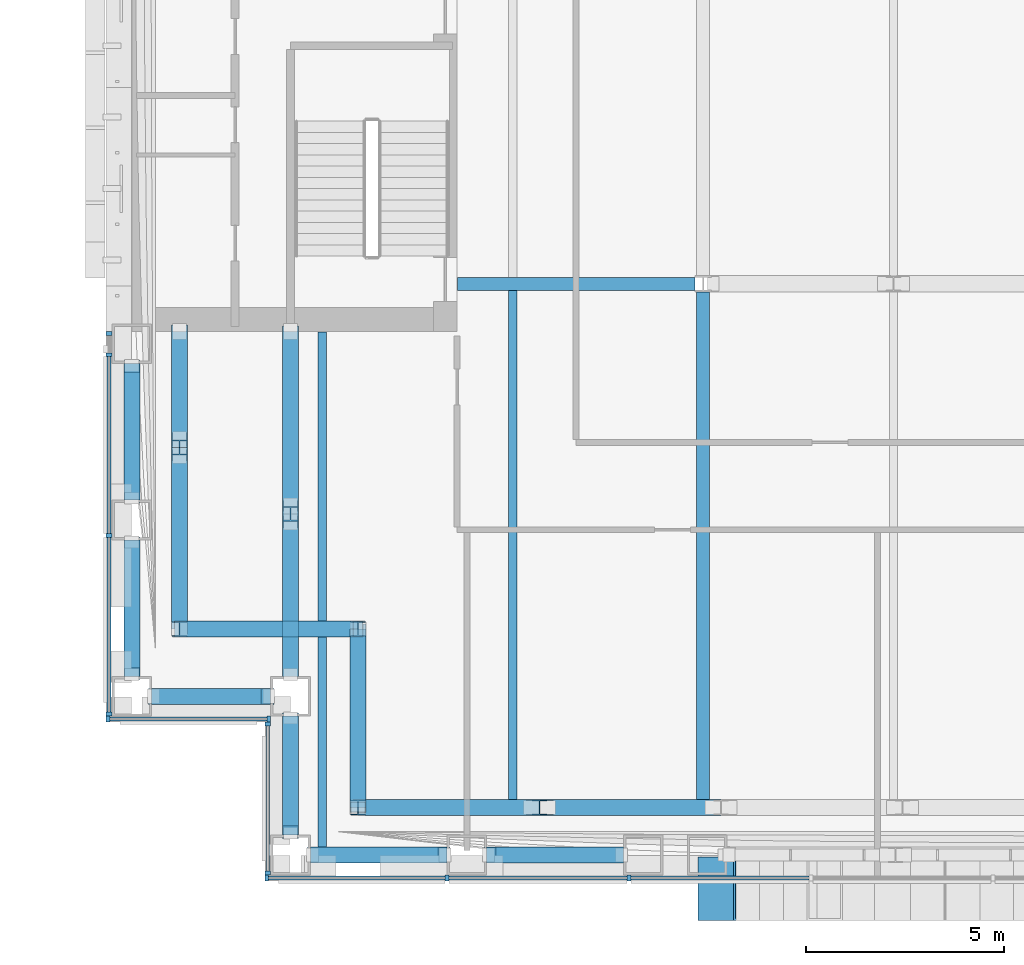
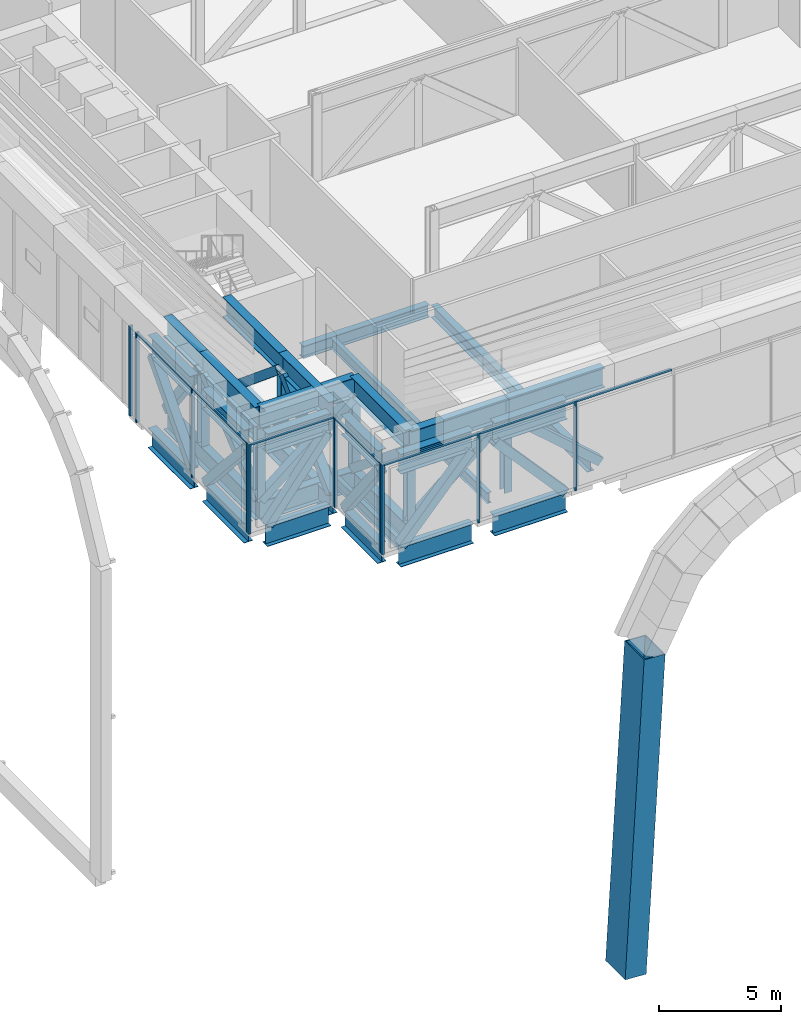
# One storey, part 2 of 39: 63 members, 5 beams, 4 elements without a shape of their own.
"""IFC4 building model written with IfcOpenShell, lengths in metres."""

from ifc_helpers import new_model, si_unit, direction, frame, origin, origin_2d, place, context, subcontext, project, spatial, rectangle, hollow_rectangle, i_section, extrude, material, material_profile, profile_set, type_object, element, aggregate, save


model = new_model("IFC4")

# Units and contexts
model_context = context("Model", 3, precision=1e-05, world=origin(), true_north=direction((0.0, 1.0)))
body_context = subcontext(model_context, "Body", "Model", "MODEL_VIEW")
ifc_project = project(units=[si_unit("LENGTHUNIT", "METRE"), si_unit("AREAUNIT", "SQUARE_METRE"), si_unit("VOLUMEUNIT", "CUBIC_METRE"), si_unit("PLANEANGLEUNIT", "RADIAN"), si_unit("MASSUNIT", "GRAM", prefix="KILO")], contexts=[model_context])

# Site, building, storey
site_placement = place(None, origin())
site = spatial("IfcSite", under=ifc_project, at=site_placement, CompositionType="ELEMENT")
building_placement = place(site_placement, origin())
building = spatial("IfcBuilding", under=site, at=building_placement, Name="Cobrizo Arcos Hotel Tower", CompositionType="ELEMENT")
storey_placement = place(building_placement, frame((0.0, 0.0, 84.5)))
storey = spatial("IfcBuildingStorey", under=building, at=storey_placement, Name="L20", CompositionType="ELEMENT", Elevation=84.5)

# Curtain wall, members
ifc_material_1 = material(Name="Aluminium 6063-T6 anodised bronze", Category="aluminium")
curtain_wall_type = type_object("IfcCurtainWallType", Name="CW-D plant louvre wall", PredefinedType="NOTDEFINED", material=ifc_material_1)
curtain_wall_1_placement = place(storey_placement, origin())
curtain_wall_1 = element("IfcCurtainWall", 1, at=curtain_wall_1_placement, inside=storey, type_object=curtain_wall_type, Name="CW-D L20 S face", PredefinedType="NOTDEFINED")
ifc_material_profile_1 = material_profile(ifc_material_1, rectangle(XDim=0.14990234375, YDim=0.10009765625, at=origin_2d()), Name="CW-D mullion 150x100")
ifc_profile_set_1 = profile_set([ifc_material_profile_1], Name="Aluminium 6063-T6 anodised bronze")
member_type_1 = type_object("IfcMemberType", Name="CW-D mullion 150x100", PredefinedType="MULLION", material=ifc_profile_set_1)
member_1_placement = place(storey_placement, frame((-20.60009765625, -24.574951171875, 0.0), z_axis=(0.0, 0.0, 1.0), x_axis=(0.0, -1.0, 0.0)))
member_1 = element("IfcMember", 2, at=member_1_placement, type_object=member_type_1, Name="CW-D mullion 1", PredefinedType="MULLION", context=body_context, shape_type="SweptSolid", body=[
    extrude(rectangle(XDim=0.14990234375, YDim=0.10009765625, at=origin_2d()), origin(), (0.0, 0.0, 1.0), 4.5),
])
member_2_placement = place(storey_placement, frame((-16.06103515625, -24.574951171875, 0.0), z_axis=(0.0, 0.0, 1.0), x_axis=(0.0, -1.0, 0.0)))
member_2 = element("IfcMember", 3, at=member_2_placement, type_object=member_type_1, Name="CW-D mullion 2", PredefinedType="MULLION", context=body_context, shape_type="SweptSolid", body=[
    extrude(rectangle(XDim=0.14990234375, YDim=0.10009765625, at=origin_2d()), origin(), (0.0, 0.0, 1.0), 4.5),
])
member_3_placement = place(storey_placement, frame((-11.47216796875, -24.574951171875, 0.0), z_axis=(0.0, 0.0, 1.0), x_axis=(0.0, -1.0, 0.0)))
member_3 = element("IfcMember", 4, at=member_3_placement, type_object=member_type_1, Name="CW-D mullion 3", PredefinedType="MULLION", context=body_context, shape_type="SweptSolid", body=[
    extrude(rectangle(XDim=0.14990234375, YDim=0.10009765625, at=origin_2d()), origin(), (0.0, 0.0, 1.0), 4.5),
])

curtain_wall_2_placement = place(storey_placement, origin())
curtain_wall_2 = element("IfcCurtainWall", 5, at=curtain_wall_2_placement, inside=storey, type_object=curtain_wall_type, Name="CW-D L20 W face", PredefinedType="NOTDEFINED")
member_4_placement = place(storey_placement, frame((-24.574951171875, -10.85009765625, 0.0), z_axis=(0.0, 0.0, 1.0), x_axis=(-1.0, 0.0, 0.0)))
member_4 = element("IfcMember", 6, at=member_4_placement, type_object=member_type_1, Name="CW-D mullion 1", PredefinedType="MULLION", context=body_context, shape_type="SweptSolid", body=[
    extrude(rectangle(XDim=0.14990234375, YDim=0.10009765625, at=origin_2d()), origin(), (0.0, 0.0, 1.0), 4.5),
])
member_5_placement = place(storey_placement, frame((-24.574951171875, -11.388916015625, 0.0), z_axis=(0.0, 0.0, 1.0), x_axis=(-1.0, 0.0, 0.0)))
member_5 = element("IfcMember", 7, at=member_5_placement, type_object=member_type_1, Name="CW-D mullion 2", PredefinedType="MULLION", context=body_context, shape_type="SweptSolid", body=[
    extrude(rectangle(XDim=0.14990234375, YDim=0.10009765625, at=origin_2d()), origin(), (0.0, 0.0, 1.0), 4.5),
])
member_6_placement = place(storey_placement, frame((-24.574951171875, -15.9443359375, 0.0), z_axis=(0.0, 0.0, 1.0), x_axis=(-1.0, 0.0, 0.0)))
member_6 = element("IfcMember", 8, at=member_6_placement, type_object=member_type_1, Name="CW-D mullion 3", PredefinedType="MULLION", context=body_context, shape_type="SweptSolid", body=[
    extrude(rectangle(XDim=0.14990234375, YDim=0.10009765625, at=origin_2d()), origin(), (0.0, 0.0, 1.0), 4.5),
])
member_7_placement = place(storey_placement, frame((-24.574951171875, -20.449951171875, 0.0), z_axis=(0.0, 0.0, 1.0), x_axis=(-1.0, 0.0, 0.0)))
member_7 = element("IfcMember", 9, at=member_7_placement, type_object=member_type_1, Name="CW-D mullion 4", PredefinedType="MULLION", context=body_context, shape_type="SweptSolid", body=[
    extrude(rectangle(XDim=0.14990234375, YDim=0.10009765625, at=origin_2d()), origin(), (0.0, 0.0, 1.0), 4.5),
])

curtain_wall_3_placement = place(storey_placement, origin())
curtain_wall_3 = element("IfcCurtainWall", 10, at=curtain_wall_3_placement, inside=storey, type_object=curtain_wall_type, Name="CW-D L20 S face", PredefinedType="NOTDEFINED")
member_8_placement = place(storey_placement, frame((-24.60009765625, -20.574951171875, 0.0), z_axis=(0.0, 0.0, 1.0), x_axis=(0.0, -1.0, 0.0)))
member_8 = element("IfcMember", 11, at=member_8_placement, type_object=member_type_1, Name="CW-D mullion 1", PredefinedType="MULLION", context=body_context, shape_type="SweptSolid", body=[
    extrude(rectangle(XDim=0.14990234375, YDim=0.10009765625, at=origin_2d()), origin(), (0.0, 0.0, 1.0), 4.5),
])
member_9_placement = place(storey_placement, frame((-20.550048828125, -20.574951171875, 0.0), z_axis=(0.0, 0.0, 1.0), x_axis=(0.0, -1.0, 0.0)))
member_9 = element("IfcMember", 12, at=member_9_placement, type_object=member_type_1, Name="CW-D mullion 2", PredefinedType="MULLION", context=body_context, shape_type="SweptSolid", body=[
    extrude(rectangle(XDim=0.14990234375, YDim=0.10009765625, at=origin_2d()), origin(), (0.0, 0.0, 1.0), 4.5),
])

curtain_wall_4_placement = place(storey_placement, origin())
curtain_wall_4 = element("IfcCurtainWall", 13, at=curtain_wall_4_placement, inside=storey, type_object=curtain_wall_type, Name="CW-D L20 W face", PredefinedType="NOTDEFINED")
member_10_placement = place(storey_placement, frame((-20.574951171875, -20.699951171875, 0.0), z_axis=(0.0, 0.0, 1.0), x_axis=(-1.0, 0.0, 0.0)))
member_10 = element("IfcMember", 14, at=member_10_placement, type_object=member_type_1, Name="CW-D mullion 1", PredefinedType="MULLION", context=body_context, shape_type="SweptSolid", body=[
    extrude(rectangle(XDim=0.14990234375, YDim=0.10009765625, at=origin_2d()), origin(), (0.0, 0.0, 1.0), 4.5),
])
member_11_placement = place(storey_placement, frame((-20.574951171875, -24.449951171875, 0.0), z_axis=(0.0, 0.0, 1.0), x_axis=(-1.0, 0.0, 0.0)))
member_11 = element("IfcMember", 15, at=member_11_placement, type_object=member_type_1, Name="CW-D mullion 2", PredefinedType="MULLION", context=body_context, shape_type="SweptSolid", body=[
    extrude(rectangle(XDim=0.14990234375, YDim=0.10009765625, at=origin_2d()), origin(), (0.0, 0.0, 1.0), 4.5),
])

# Member
ifc_material_profile_2 = material_profile(ifc_material_1, rectangle(XDim=0.10009765625, YDim=0.10009765625, at=origin_2d()), Name="CW-D transom 100x100")
ifc_profile_set_2 = profile_set([ifc_material_profile_2], Name="Aluminium 6063-T6 anodised bronze")
member_type_2 = type_object("IfcMemberType", Name="CW-D transom 100x100", PredefinedType="USERDEFINED", material=ifc_profile_set_2)
member_12_placement = place(storey_placement, frame((-20.550048828125, -24.574951171875, 4.449951171875), z_axis=(1.0, 0.0, 0.0), x_axis=(0.0, 1.0, 0.0)))
member_12 = element("IfcMember", 16, at=member_12_placement, type_object=member_type_2, Name="CW-D transom 813", ObjectType="TRANSOM", PredefinedType="USERDEFINED", context=body_context, shape_type="SweptSolid", body=[
    extrude(rectangle(XDim=0.10009765625, YDim=0.10009765625, at=origin_2d()), origin(), (0.0, 0.0, 1.0), 4.43896484375),
])

member_13_placement = place(storey_placement, frame((-16.01123046875, -24.574951171875, 4.449951171875), z_axis=(1.0, 0.0, 0.0), x_axis=(0.0, 1.0, 0.0)))
member_13 = element("IfcMember", 17, at=member_13_placement, type_object=member_type_2, Name="CW-D transom 814", ObjectType="TRANSOM", PredefinedType="USERDEFINED", context=body_context, shape_type="SweptSolid", body=[
    extrude(rectangle(XDim=0.10009765625, YDim=0.10009765625, at=origin_2d()), origin(), (0.0, 0.0, 1.0), 4.489013671875),
])

member_14_placement = place(storey_placement, frame((-11.422119140625, -24.574951171875, 4.449951171875), z_axis=(1.0, 0.0, 0.0), x_axis=(0.0, 1.0, 0.0)))
member_14 = element("IfcMember", 18, at=member_14_placement, type_object=member_type_2, Name="CW-D transom 815", ObjectType="TRANSOM", PredefinedType="USERDEFINED", context=body_context, shape_type="SweptSolid", body=[
    extrude(rectangle(XDim=0.10009765625, YDim=0.10009765625, at=origin_2d()), origin(), (0.0, 0.0, 1.0), 4.48876953125),
])

aggregate(curtain_wall_1, [member_1, member_2, member_3, member_12, member_13, member_14])

member_15_placement = place(storey_placement, frame((-24.574951171875, -11.43896484375, 4.449951171875), z_axis=(0.0, -1.0, 0.0), x_axis=(1.0, 0.0, 0.0)))
member_15 = element("IfcMember", 19, at=member_15_placement, type_object=member_type_2, Name="CW-D transom 847", ObjectType="TRANSOM", PredefinedType="USERDEFINED", context=body_context, shape_type="SweptSolid", body=[
    extrude(rectangle(XDim=0.10009765625, YDim=0.10009765625, at=origin_2d()), origin(), (0.0, 0.0, 1.0), 4.45556640625),
])

member_16_placement = place(storey_placement, frame((-24.574951171875, -15.994384765625, 4.449951171875), z_axis=(0.0, -1.0, 0.0), x_axis=(1.0, 0.0, 0.0)))
member_16 = element("IfcMember", 20, at=member_16_placement, type_object=member_type_2, Name="CW-D transom 848", ObjectType="TRANSOM", PredefinedType="USERDEFINED", context=body_context, shape_type="SweptSolid", body=[
    extrude(rectangle(XDim=0.10009765625, YDim=0.10009765625, at=origin_2d()), origin(), (0.0, 0.0, 1.0), 4.405517578125),
])

aggregate(curtain_wall_2, [member_4, member_5, member_6, member_7, member_15, member_16])

member_17_placement = place(storey_placement, frame((-24.550048828125, -20.574951171875, 4.449951171875), z_axis=(1.0, 0.0, 0.0), x_axis=(0.0, 1.0, 0.0)))
member_17 = element("IfcMember", 21, at=member_17_placement, type_object=member_type_2, Name="CW-D transom 849", ObjectType="TRANSOM", PredefinedType="USERDEFINED", context=body_context, shape_type="SweptSolid", body=[
    extrude(rectangle(XDim=0.10009765625, YDim=0.10009765625, at=origin_2d()), origin(), (0.0, 0.0, 1.0), 3.949951171875),
])

aggregate(curtain_wall_3, [member_8, member_9, member_17])

member_18_placement = place(storey_placement, frame((-20.574951171875, -20.75, 4.449951171875), z_axis=(0.0, -1.0, 0.0), x_axis=(1.0, 0.0, 0.0)))
member_18 = element("IfcMember", 22, at=member_18_placement, type_object=member_type_2, Name="CW-D transom 850", ObjectType="TRANSOM", PredefinedType="USERDEFINED", context=body_context, shape_type="SweptSolid", body=[
    extrude(rectangle(XDim=0.10009765625, YDim=0.10009765625, at=origin_2d()), origin(), (0.0, 0.0, 1.0), 3.64990234375),
])

aggregate(curtain_wall_4, [member_10, member_11, member_18])

# Members
ifc_material_2 = material(Name="Steel ASTM A500 Grade C", Category="steel")
ifc_material_profile_3 = material_profile(ifc_material_2, hollow_rectangle(XDim=0.406494140625, YDim=0.406494140625, WallThickness=0.014892578125, at=origin_2d()), Name="HSS16X16X5/8")
ifc_profile_set_3 = profile_set([ifc_material_profile_3], Name="Steel ASTM A500 Grade C")
member_type_3 = type_object("IfcMemberType", Name="HSS16X16X5/8 truss diagonal", PredefinedType="BRACE", material=ifc_profile_set_3)
member_19_placement = place(storey_placement, frame((-19.419921875, -24.0, -0.300048828125), z_axis=(0.667891406246, 0.0, 0.744258738251), x_axis=(0.0, 1.0, 0.0)))
element("IfcMember", 23, at=member_19_placement, inside=storey, type_object=member_type_3, Name="Belt truss diagonal TD1, L20, no. 001", PredefinedType="BRACE", context=body_context, shape_type="SweptSolid", body=[
    extrude(hollow_rectangle(XDim=0.406494140625, YDim=0.406494140625, WallThickness=0.014892578125, at=origin_2d()), origin(), (0.0, 0.0, 1.0), 4.9169921875),
])
for number, where, z_axis, x_axis, name in (
    (24, (-14.97607421875, -24.0, 3.359375), (0.668028893094, 0.0, -0.744135335804), (0.0, 1.0, 0.0), "Belt truss diagonal TD1, L20, no. 002"),
    (25, (-24.0, -11.69091796875, 3.359375), (0.0, -0.668028893094, -0.744135335804), (1.0, 0.0, 0.0), "Belt truss diagonal TD1, L20, no. 029"),
):
    element("IfcMember", number, at=place(storey_placement, frame(where, z_axis=z_axis, x_axis=x_axis)), inside=storey, type_object=member_type_3, Name=name, PredefinedType="BRACE", context=body_context, shape_type="SweptSolid", body=[
        extrude(hollow_rectangle(XDim=0.406494140625, YDim=0.406494140625, WallThickness=0.014892578125, at=origin_2d()), origin(), (0.0, 0.0, 1.0), 4.917724609375),
    ])
member_20_placement = place(storey_placement, frame((-24.0, -16.135986328125, -0.300048828125), z_axis=(0.0, -0.667891406246, 0.744258738251), x_axis=(1.0, 0.0, 0.0)))
element("IfcMember", 26, at=member_20_placement, inside=storey, type_object=member_type_3, Name="Belt truss diagonal TD1, L20, no. 030", PredefinedType="BRACE", context=body_context, shape_type="SweptSolid", body=[
    extrude(hollow_rectangle(XDim=0.406494140625, YDim=0.406494140625, WallThickness=0.014892578125, at=origin_2d()), origin(), (0.0, 0.0, 1.0), 4.9169921875),
])
for number, where, z_axis, x_axis, name in (
    (27, (-23.419921875, -20.0, -0.300048828125), (0.613082755999, 0.0, 0.790018692372), (0.0, 1.0, 0.0), "Belt truss diagonal TD1, L20, no. 031"),
    (28, (-20.0, -20.580078125, -0.300048828125), (0.0, -0.613082755999, 0.790018692372), (1.0, 0.0, 0.0), "Belt truss diagonal TD1, L20, no. 032"),
):
    element("IfcMember", number, at=place(storey_placement, frame(where, z_axis=z_axis, x_axis=x_axis)), inside=storey, type_object=member_type_3, Name=name, PredefinedType="BRACE", context=body_context, shape_type="SweptSolid", body=[
        extrude(hollow_rectangle(XDim=0.406494140625, YDim=0.406494140625, WallThickness=0.014892578125, at=origin_2d()), origin(), (0.0, 0.0, 1.0), 4.632080078125),
    ])
member_21_placement = place(storey_placement, frame((-18.300048828125, -22.800048828125, -0.300048828125), z_axis=(0.767048144643, 0.0, 0.641589544646), x_axis=(0.0, 1.0, 0.0)))
element("IfcMember", 29, at=member_21_placement, inside=storey, type_object=member_type_3, Name="Belt truss diagonal TD1, L20, no. 033", PredefinedType="BRACE", context=body_context, shape_type="SweptSolid", body=[
    extrude(hollow_rectangle(XDim=0.406494140625, YDim=0.406494140625, WallThickness=0.014892578125, at=origin_2d()), origin(), (0.0, 0.0, 1.0), 5.70361328125),
])
member_22_placement = place(storey_placement, frame((-13.52490234375, -22.800048828125, 3.359375), z_axis=(0.751998872625, 0.0, -0.659164391917), x_axis=(0.0, 1.0, 0.0)))
element("IfcMember", 30, at=member_22_placement, inside=storey, type_object=member_type_3, Name="Belt truss diagonal TD1, L20, no. 034", PredefinedType="BRACE", context=body_context, shape_type="SweptSolid", body=[
    extrude(hollow_rectangle(XDim=0.406494140625, YDim=0.406494140625, WallThickness=0.014892578125, at=origin_2d()), origin(), (0.0, 0.0, 1.0), 5.551513671875),
])
member_23_placement = place(storey_placement, frame((-22.800048828125, -10.801025390625, -0.300048828125), z_axis=(0.0, -0.597093268224, 0.802171820149), x_axis=(1.0, 0.0, 0.0)))
element("IfcMember", 31, at=member_23_placement, inside=storey, type_object=member_type_3, Name="Belt truss diagonal TD1, L20, no. 061", PredefinedType="BRACE", context=body_context, shape_type="SweptSolid", body=[
    extrude(hollow_rectangle(XDim=0.406494140625, YDim=0.406494140625, WallThickness=0.014892578125, at=origin_2d()), origin(), (0.0, 0.0, 1.0), 4.56201171875),
])
member_24_placement = place(storey_placement, frame((-22.800048828125, -13.925048828125, 3.359375), z_axis=(0.0, -0.767048144643, -0.641589544646), x_axis=(1.0, 0.0, 0.0)))
element("IfcMember", 32, at=member_24_placement, inside=storey, type_object=member_type_3, Name="Belt truss diagonal TD1, L20, no. 062", PredefinedType="BRACE", context=body_context, shape_type="SweptSolid", body=[
    extrude(hollow_rectangle(XDim=0.406494140625, YDim=0.406494140625, WallThickness=0.014892578125, at=origin_2d()), origin(), (0.0, 0.0, 1.0), 5.70361328125),
])
for number, where, z_axis, x_axis, name in (
    (33, (-22.800048828125, -18.300048828125, -0.300048828125), (0.775846123764, 0.0, 0.630922176057), (0.0, 1.0, 0.0), "Belt truss diagonal TD1, L20, no. 063"),
    (34, (-18.300048828125, -18.300048828125, -0.300048828125), (0.0, -0.775846123764, 0.630922176057), (1.0, 0.0, 0.0), "Belt truss diagonal TD1, L20, no. 064"),
):
    element("IfcMember", number, at=place(storey_placement, frame(where, z_axis=z_axis, x_axis=x_axis)), inside=storey, type_object=member_type_3, Name=name, PredefinedType="BRACE", context=body_context, shape_type="SweptSolid", body=[
        extrude(hollow_rectangle(XDim=0.406494140625, YDim=0.406494140625, WallThickness=0.014892578125, at=origin_2d()), origin(), (0.0, 0.0, 1.0), 5.800048828125),
    ])
member_25_placement = place(storey_placement, frame((-20.0, -10.800048828125, -0.300048828125), z_axis=(0.0, -0.768836361842, 0.639445579162), x_axis=(1.0, 0.0, 0.0)))
element("IfcMember", 35, at=member_25_placement, inside=storey, type_object=member_type_3, Name="Outrigger diagonal TD1, L20, no. 007", PredefinedType="BRACE", context=body_context, shape_type="SweptSolid", body=[
    extrude(hollow_rectangle(XDim=0.406494140625, YDim=0.406494140625, WallThickness=0.014892578125, at=origin_2d()), origin(), (0.0, 0.0, 1.0), 5.722900390625),
])
member_26_placement = place(storey_placement, frame((-20.0, -15.60009765625, 3.359375), z_axis=(0.0, -0.722105393419, -0.691783059054), x_axis=(1.0, 0.0, 0.0)))
element("IfcMember", 36, at=member_26_placement, inside=storey, type_object=member_type_3, Name="Outrigger diagonal TD1, L20, no. 008", PredefinedType="BRACE", context=body_context, shape_type="SweptSolid", body=[
    extrude(hollow_rectangle(XDim=0.406494140625, YDim=0.406494140625, WallThickness=0.014892578125, at=origin_2d()), origin(), (0.0, 0.0, 1.0), 5.289794921875),
])
ifc_material_3 = material(Name="Steel ASTM A572 Grade 50 verdigris painted", Category="steel")
ifc_material_profile_4 = material_profile(ifc_material_3, hollow_rectangle(XDim=1.60009765625, YDim=1.0, WallThickness=0.050048828125, at=origin_2d()), Name="PF-2 arch ring frame box 1600x1000x50")
ifc_profile_set_4 = profile_set([ifc_material_profile_4], Name="Steel ASTM A572 Grade 50 verdigris painted")
member_type_4 = type_object("IfcMemberType", Name="PF-2 arch ring frame box 1600x1000x50", PredefinedType="USERDEFINED", material=ifc_profile_set_4)
member_27_placement = place(storey_placement, frame((-9.232421875, -24.85009765625, -24.5), z_axis=(0.057232855112, 0.0, 0.998360856753), x_axis=(0.0, 1.0, 0.0)))
element("IfcMember", 37, at=member_27_placement, inside=storey, type_object=member_type_4, Name="A ring frame post SW", ObjectType="PORTAL FRAME", PredefinedType="USERDEFINED", context=body_context, shape_type="SweptSolid", body=[
    extrude(hollow_rectangle(XDim=1.60009765625, YDim=1.0, WallThickness=0.050048828125, at=origin_2d()), origin(), (0.0, 0.0, 1.0), 15.7236328125),
])
ifc_material_4 = material(Name="Steel ASTM A992 Grade 50", Category="steel")
ifc_material_profile_5 = material_profile(ifc_material_4, i_section(OverallWidth=0.373291015625, OverallDepth=0.373291015625, WebThickness=0.016357421875, FlangeThickness=0.026123046875, at=origin_2d()), Name="W14X132")
ifc_profile_set_5 = profile_set([ifc_material_profile_5], Name="Steel ASTM A992 Grade 50")
member_type_5 = type_object("IfcMemberType", Name="W14X132 truss post", PredefinedType="POST", material=ifc_profile_set_5)
for number, where, z_axis, x_axis, name in (
    (38, (-18.300048828125, -22.800048828125, -0.300048828125), (0.0, 0.0, 1.0), (1.0, 0.0, 0.0), "Truss post TP1, L20, no. 007"),
    (39, (-13.72509765625, -22.800048828125, -0.300048828125), (0.0, 0.0, 1.0), (1.0, 0.0, 0.0), "Truss post TP1, L20, no. 008"),
    (40, (-22.800048828125, -13.72509765625, -0.300048828125), (0.0, 0.0, 1.0), (1.0, 0.0, 0.0), "Truss post TP1, L20, no. 034"),
    (41, (-22.800048828125, -18.300048828125, -0.300048828125), (0.0, 0.0, 1.0), (1.0, 0.0, 0.0), "Truss post TP1, L20, no. 035"),
    (42, (-18.300048828125, -18.300048828125, -0.300048828125), (0.0, 0.0, 1.0), (1.0, 0.0, 0.0), "Truss post TP1, L20, no. 036"),
    (43, (-20.0, -15.39990234375, -0.300048828125), (0.0, 0.0, 1.0), (1.0, 0.0, 0.0), "Truss post TP1, L20, no. 039"),
):
    element("IfcMember", number, at=place(storey_placement, frame(where, z_axis=z_axis, x_axis=x_axis)), inside=storey, type_object=member_type_5, Name=name, PredefinedType="POST", context=body_context, shape_type="SweptSolid", body=[
        extrude(i_section(OverallWidth=0.373291015625, OverallDepth=0.373291015625, WebThickness=0.016357421875, FlangeThickness=0.026123046875, at=origin_2d()), origin(), (0.0, 0.0, 1.0), 3.659423828125),
    ])

# Beams
ifc_material_profile_6 = material_profile(ifc_material_4, i_section(OverallWidth=0.209228515625, OverallDepth=0.533447265625, WebThickness=0.01025390625, FlangeThickness=0.015625, at=origin_2d()), Name="W21X62")
ifc_profile_set_6 = profile_set([ifc_material_profile_6], Name="Steel ASTM A992 Grade 50")
beam_type_1 = type_object("IfcBeamType", Name="W21X62 joist", PredefinedType="JOIST", material=ifc_profile_set_6)
beam_1_placement = place(storey_placement, frame((-19.199951171875, -23.799560546875, -0.566650390625), z_axis=(0.0, 1.0, 0.0), x_axis=(-1.0, 0.0, 0.0)))
element("IfcBeam", 44, at=beam_1_placement, inside=storey, type_object=beam_type_1, Name="Floor joist J1, L20, no. 001", PredefinedType="JOIST", context=body_context, shape_type="SweptSolid", body=[
    extrude(i_section(OverallWidth=0.209228515625, OverallDepth=0.533447265625, WebThickness=0.01025390625, FlangeThickness=0.015625, at=origin_2d()), origin(), (0.0, 0.0, 1.0), 5.299072265625),
])
beam_2_placement = place(storey_placement, frame((-19.199951171875, -18.099609375, -0.566650390625), z_axis=(0.0, 1.0, 0.0), x_axis=(-1.0, 0.0, 0.0)))
element("IfcBeam", 45, at=beam_2_placement, inside=storey, type_object=beam_type_1, Name="Floor joist J1, L20, no. 002", PredefinedType="JOIST", context=body_context, shape_type="SweptSolid", body=[
    extrude(i_section(OverallWidth=0.209228515625, OverallDepth=0.533447265625, WebThickness=0.01025390625, FlangeThickness=0.015625, at=origin_2d()), origin(), (0.0, 0.0, 1.0), 7.28955078125),
])
beam_3_placement = place(storey_placement, frame((-14.39990234375, -22.599609375, -0.566650390625), z_axis=(0.0, 1.0, 0.0), x_axis=(-1.0, 0.0, 0.0)))
element("IfcBeam", 46, at=beam_3_placement, inside=storey, type_object=beam_type_1, Name="Floor joist J1, L20, no. 005", PredefinedType="JOIST", context=body_context, shape_type="SweptSolid", body=[
    extrude(i_section(OverallWidth=0.209228515625, OverallDepth=0.533447265625, WebThickness=0.01025390625, FlangeThickness=0.015625, at=origin_2d()), origin(), (0.0, 0.0, 1.0), 12.835693359375),
])
ifc_material_profile_7 = material_profile(ifc_material_4, i_section(OverallWidth=0.32763671875, OverallDepth=0.622314453125, WebThickness=0.015380859375, FlangeThickness=0.0244140625, at=origin_2d()), Name="W24X131")
ifc_profile_set_7 = profile_set([ifc_material_profile_7], Name="Steel ASTM A992 Grade 50")
beam_type_2 = type_object("IfcBeamType", Name="W24X131 girder", PredefinedType="BEAM", material=ifc_profile_set_7)
beam_4_placement = place(storey_placement, frame((-15.7900390625, -9.60009765625, -0.611083984375), z_axis=(1.0, 0.0, 0.0), x_axis=(0.0, 1.0, 0.0)))
element("IfcBeam", 47, at=beam_4_placement, inside=storey, type_object=beam_type_2, Name="Floor girder G1, L20, no. 001", PredefinedType="BEAM", context=body_context, shape_type="SweptSolid", body=[
    extrude(i_section(OverallWidth=0.32763671875, OverallDepth=0.622314453125, WebThickness=0.015380859375, FlangeThickness=0.0244140625, at=origin_2d()), origin(), (0.0, 0.0, 1.0), 5.985595703125),
])
beam_5_placement = place(storey_placement, frame((-9.60009765625, -22.599609375, -0.611083984375), z_axis=(0.0, 1.0, 0.0), x_axis=(-1.0, 0.0, 0.0)))
element("IfcBeam", 48, at=beam_5_placement, inside=storey, type_object=beam_type_2, Name="Floor girder G1, L20, no. 007", PredefinedType="BEAM", context=body_context, shape_type="SweptSolid", body=[
    extrude(i_section(OverallWidth=0.32763671875, OverallDepth=0.622314453125, WebThickness=0.015380859375, FlangeThickness=0.0244140625, at=origin_2d()), origin(), (0.0, 0.0, 1.0), 12.795166015625),
])

# Members
ifc_material_profile_8 = material_profile(ifc_material_4, i_section(OverallWidth=0.4013671875, OverallDepth=0.990478515625, WebThickness=0.0166015625, FlangeThickness=0.025390625, at=origin_2d()), Name="W40X215")
ifc_profile_set_8 = profile_set([ifc_material_profile_8], Name="Steel ASTM A992 Grade 50")
member_type_6 = type_object("IfcMemberType", Name="W40X215 belt truss chord", PredefinedType="CHORD", material=ifc_profile_set_8)
member_28_placement = place(storey_placement, frame((-19.5, -24.0, -0.79541015625), z_axis=(1.0, 0.0, 0.0), x_axis=(0.0, 1.0, 0.0)))
element("IfcMember", 49, at=member_28_placement, inside=storey, type_object=member_type_6, Name="Belt truss bottom chord TC1, L20, no. 001", PredefinedType="CHORD", context=body_context, shape_type="SweptSolid", body=[
    extrude(i_section(OverallWidth=0.4013671875, OverallDepth=0.990478515625, WebThickness=0.0166015625, FlangeThickness=0.025390625, at=origin_2d()), origin(), (0.0, 0.0, 1.0), 3.444091796875),
])
member_29_placement = place(storey_placement, frame((-15.055908203125, -24.0, -0.79541015625), z_axis=(1.0, 0.0, 0.0), x_axis=(0.0, 1.0, 0.0)))
element("IfcMember", 50, at=member_29_placement, inside=storey, type_object=member_type_6, Name="Belt truss bottom chord TC1, L20, no. 002", PredefinedType="CHORD", context=body_context, shape_type="SweptSolid", body=[
    extrude(i_section(OverallWidth=0.4013671875, OverallDepth=0.990478515625, WebThickness=0.0166015625, FlangeThickness=0.025390625, at=origin_2d()), origin(), (0.0, 0.0, 1.0), 3.44482421875),
])
member_30_placement = place(storey_placement, frame((-19.5, -24.0, 3.854736328125), z_axis=(1.0, 0.0, 0.0), x_axis=(0.0, 1.0, 0.0)))
element("IfcMember", 51, at=member_30_placement, inside=storey, type_object=member_type_6, Name="Belt truss top chord TC1, L20, no. 001", PredefinedType="CHORD", context=body_context, shape_type="SweptSolid", body=[
    extrude(i_section(OverallWidth=0.4013671875, OverallDepth=0.990478515625, WebThickness=0.0166015625, FlangeThickness=0.025390625, at=origin_2d()), origin(), (0.0, 0.0, 1.0), 3.444091796875),
])
for number, where, z_axis, x_axis, name in (
    (52, (-15.055908203125, -24.0, 3.854736328125), (1.0, 0.0, 0.0), (0.0, 1.0, 0.0), "Belt truss top chord TC1, L20, no. 002"),
    (53, (-24.0, -11.611083984375, -0.79541015625), (0.0, -1.0, 0.0), (1.0, 0.0, 0.0), "Belt truss bottom chord TC1, L20, no. 023"),
):
    element("IfcMember", number, at=place(storey_placement, frame(where, z_axis=z_axis, x_axis=x_axis)), inside=storey, type_object=member_type_6, Name=name, PredefinedType="CHORD", context=body_context, shape_type="SweptSolid", body=[
        extrude(i_section(OverallWidth=0.4013671875, OverallDepth=0.990478515625, WebThickness=0.0166015625, FlangeThickness=0.025390625, at=origin_2d()), origin(), (0.0, 0.0, 1.0), 3.44482421875),
    ])
member_31_placement = place(storey_placement, frame((-24.0, -16.055908203125, -0.79541015625), z_axis=(0.0, -1.0, 0.0), x_axis=(1.0, 0.0, 0.0)))
element("IfcMember", 54, at=member_31_placement, inside=storey, type_object=member_type_6, Name="Belt truss bottom chord TC1, L20, no. 024", PredefinedType="CHORD", context=body_context, shape_type="SweptSolid", body=[
    extrude(i_section(OverallWidth=0.4013671875, OverallDepth=0.990478515625, WebThickness=0.0166015625, FlangeThickness=0.025390625, at=origin_2d()), origin(), (0.0, 0.0, 1.0), 3.444091796875),
])
member_32_placement = place(storey_placement, frame((-24.0, -11.611083984375, 3.854736328125), z_axis=(0.0, -1.0, 0.0), x_axis=(1.0, 0.0, 0.0)))
element("IfcMember", 55, at=member_32_placement, inside=storey, type_object=member_type_6, Name="Belt truss top chord TC1, L20, no. 029", PredefinedType="CHORD", context=body_context, shape_type="SweptSolid", body=[
    extrude(i_section(OverallWidth=0.4013671875, OverallDepth=0.990478515625, WebThickness=0.0166015625, FlangeThickness=0.025390625, at=origin_2d()), origin(), (0.0, 0.0, 1.0), 3.44482421875),
])
member_33_placement = place(storey_placement, frame((-24.0, -16.055908203125, 3.854736328125), z_axis=(0.0, -1.0, 0.0), x_axis=(1.0, 0.0, 0.0)))
element("IfcMember", 56, at=member_33_placement, inside=storey, type_object=member_type_6, Name="Belt truss top chord TC1, L20, no. 030", PredefinedType="CHORD", context=body_context, shape_type="SweptSolid", body=[
    extrude(i_section(OverallWidth=0.4013671875, OverallDepth=0.990478515625, WebThickness=0.0166015625, FlangeThickness=0.025390625, at=origin_2d()), origin(), (0.0, 0.0, 1.0), 3.444091796875),
])
for number, where, z_axis, x_axis, name in (
    (57, (-23.5, -20.0, -0.79541015625), (1.0, 0.0, 0.0), (0.0, 1.0, 0.0), "Belt truss bottom chord TC1, L20, no. 025"),
    (58, (-23.5, -20.0, 3.854736328125), (1.0, 0.0, 0.0), (0.0, 1.0, 0.0), "Belt truss top chord TC1, L20, no. 031"),
    (59, (-20.0, -20.5, -0.79541015625), (0.0, -1.0, 0.0), (1.0, 0.0, 0.0), "Belt truss bottom chord TC1, L20, no. 026"),
    (60, (-20.0, -20.5, 3.854736328125), (0.0, -1.0, 0.0), (1.0, 0.0, 0.0), "Belt truss top chord TC1, L20, no. 032"),
):
    element("IfcMember", number, at=place(storey_placement, frame(where, z_axis=z_axis, x_axis=x_axis)), inside=storey, type_object=member_type_6, Name=name, PredefinedType="CHORD", context=body_context, shape_type="SweptSolid", body=[
        extrude(i_section(OverallWidth=0.4013671875, OverallDepth=0.990478515625, WebThickness=0.0166015625, FlangeThickness=0.025390625, at=origin_2d()), origin(), (0.0, 0.0, 1.0), 3.0),
    ])
member_34_placement = place(storey_placement, frame((-18.300048828125, -22.800048828125, 3.854736328125), z_axis=(1.0, 0.0, 0.0), x_axis=(0.0, 1.0, 0.0)))
element("IfcMember", 61, at=member_34_placement, inside=storey, type_object=member_type_6, Name="Belt truss top chord TC1, L20, no. 033", PredefinedType="CHORD", context=body_context, shape_type="SweptSolid", body=[
    extrude(i_section(OverallWidth=0.4013671875, OverallDepth=0.990478515625, WebThickness=0.0166015625, FlangeThickness=0.025390625, at=origin_2d()), origin(), (0.0, 0.0, 1.0), 4.574951171875),
])
member_35_placement = place(storey_placement, frame((-13.72509765625, -22.800048828125, 3.854736328125), z_axis=(1.0, 0.0, 0.0), x_axis=(0.0, 1.0, 0.0)))
element("IfcMember", 62, at=member_35_placement, inside=storey, type_object=member_type_6, Name="Belt truss top chord TC1, L20, no. 034", PredefinedType="CHORD", context=body_context, shape_type="SweptSolid", body=[
    extrude(i_section(OverallWidth=0.4013671875, OverallDepth=0.990478515625, WebThickness=0.0166015625, FlangeThickness=0.025390625, at=origin_2d()), origin(), (0.0, 0.0, 1.0), 4.5751953125),
])
member_36_placement = place(storey_placement, frame((-22.800048828125, -10.801025390625, -0.79541015625), z_axis=(0.0, -1.0, 0.0), x_axis=(1.0, 0.0, 0.0)))
element("IfcMember", 63, at=member_36_placement, inside=storey, type_object=member_type_6, Name="Belt truss bottom chord TC1, L20, no. 038", PredefinedType="CHORD", context=body_context, shape_type="SweptSolid", body=[
    extrude(i_section(OverallWidth=0.4013671875, OverallDepth=0.990478515625, WebThickness=0.0166015625, FlangeThickness=0.025390625, at=origin_2d()), origin(), (0.0, 0.0, 1.0), 7.4990234375),
])
member_37_placement = place(storey_placement, frame((-22.800048828125, -10.801025390625, 3.854736328125), z_axis=(0.0, -1.0, 0.0), x_axis=(1.0, 0.0, 0.0)))
element("IfcMember", 64, at=member_37_placement, inside=storey, type_object=member_type_6, Name="Belt truss top chord TC1, L20, no. 061", PredefinedType="CHORD", context=body_context, shape_type="SweptSolid", body=[
    extrude(i_section(OverallWidth=0.4013671875, OverallDepth=0.990478515625, WebThickness=0.0166015625, FlangeThickness=0.025390625, at=origin_2d()), origin(), (0.0, 0.0, 1.0), 2.924072265625),
])
member_38_placement = place(storey_placement, frame((-22.800048828125, -13.72509765625, 3.854736328125), z_axis=(0.0, -1.0, 0.0), x_axis=(1.0, 0.0, 0.0)))
element("IfcMember", 65, at=member_38_placement, inside=storey, type_object=member_type_6, Name="Belt truss top chord TC1, L20, no. 062", PredefinedType="CHORD", context=body_context, shape_type="SweptSolid", body=[
    extrude(i_section(OverallWidth=0.4013671875, OverallDepth=0.990478515625, WebThickness=0.0166015625, FlangeThickness=0.025390625, at=origin_2d()), origin(), (0.0, 0.0, 1.0), 4.574951171875),
])
for number, where, z_axis, x_axis, name in (
    (66, (-22.800048828125, -18.300048828125, -0.79541015625), (1.0, 0.0, 0.0), (0.0, 1.0, 0.0), "Belt truss bottom chord TC1, L20, no. 039"),
    (67, (-22.800048828125, -18.300048828125, 3.854736328125), (1.0, 0.0, 0.0), (0.0, 1.0, 0.0), "Belt truss top chord TC1, L20, no. 063"),
    (68, (-18.300048828125, -18.300048828125, -0.79541015625), (0.0, -1.0, 0.0), (1.0, 0.0, 0.0), "Belt truss bottom chord TC1, L20, no. 040"),
    (69, (-18.300048828125, -18.300048828125, 3.854736328125), (0.0, -1.0, 0.0), (1.0, 0.0, 0.0), "Belt truss top chord TC1, L20, no. 064"),
):
    element("IfcMember", number, at=place(storey_placement, frame(where, z_axis=z_axis, x_axis=x_axis)), inside=storey, type_object=member_type_6, Name=name, PredefinedType="CHORD", context=body_context, shape_type="SweptSolid", body=[
        extrude(i_section(OverallWidth=0.4013671875, OverallDepth=0.990478515625, WebThickness=0.0166015625, FlangeThickness=0.025390625, at=origin_2d()), origin(), (0.0, 0.0, 1.0), 4.5),
    ])
member_39_placement = place(storey_placement, frame((-20.0, -10.800048828125, -0.79541015625), z_axis=(0.0, -1.0, 0.0), x_axis=(1.0, 0.0, 0.0)))
element("IfcMember", 70, at=member_39_placement, inside=storey, type_object=member_type_6, Name="Outrigger bottom chord TC1, L20, no. 005", PredefinedType="CHORD", context=body_context, shape_type="SweptSolid", body=[
    extrude(i_section(OverallWidth=0.4013671875, OverallDepth=0.990478515625, WebThickness=0.0166015625, FlangeThickness=0.025390625, at=origin_2d()), origin(), (0.0, 0.0, 1.0), 8.699951171875),
])
member_40_placement = place(storey_placement, frame((-20.0, -10.800048828125, 3.854736328125), z_axis=(0.0, -1.0, 0.0), x_axis=(1.0, 0.0, 0.0)))
element("IfcMember", 71, at=member_40_placement, inside=storey, type_object=member_type_6, Name="Outrigger top chord TC1, L20, no. 007", PredefinedType="CHORD", context=body_context, shape_type="SweptSolid", body=[
    extrude(i_section(OverallWidth=0.4013671875, OverallDepth=0.990478515625, WebThickness=0.0166015625, FlangeThickness=0.025390625, at=origin_2d()), origin(), (0.0, 0.0, 1.0), 4.599853515625),
])
member_41_placement = place(storey_placement, frame((-20.0, -15.39990234375, 3.854736328125), z_axis=(0.0, -1.0, 0.0), x_axis=(1.0, 0.0, 0.0)))
element("IfcMember", 72, at=member_41_placement, inside=storey, type_object=member_type_6, Name="Outrigger top chord TC1, L20, no. 008", PredefinedType="CHORD", context=body_context, shape_type="SweptSolid", body=[
    extrude(i_section(OverallWidth=0.4013671875, OverallDepth=0.990478515625, WebThickness=0.0166015625, FlangeThickness=0.025390625, at=origin_2d()), origin(), (0.0, 0.0, 1.0), 4.10009765625),
])

save(model, "model.ifc")
